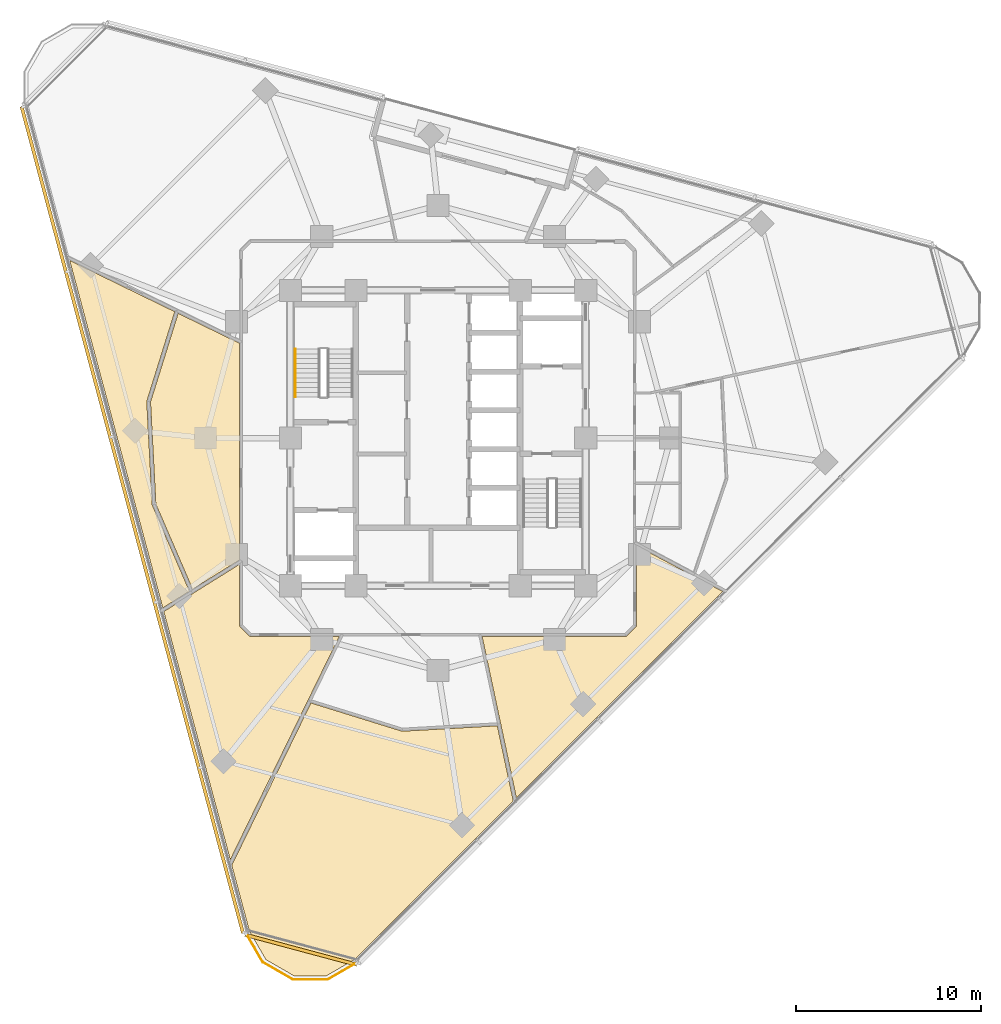
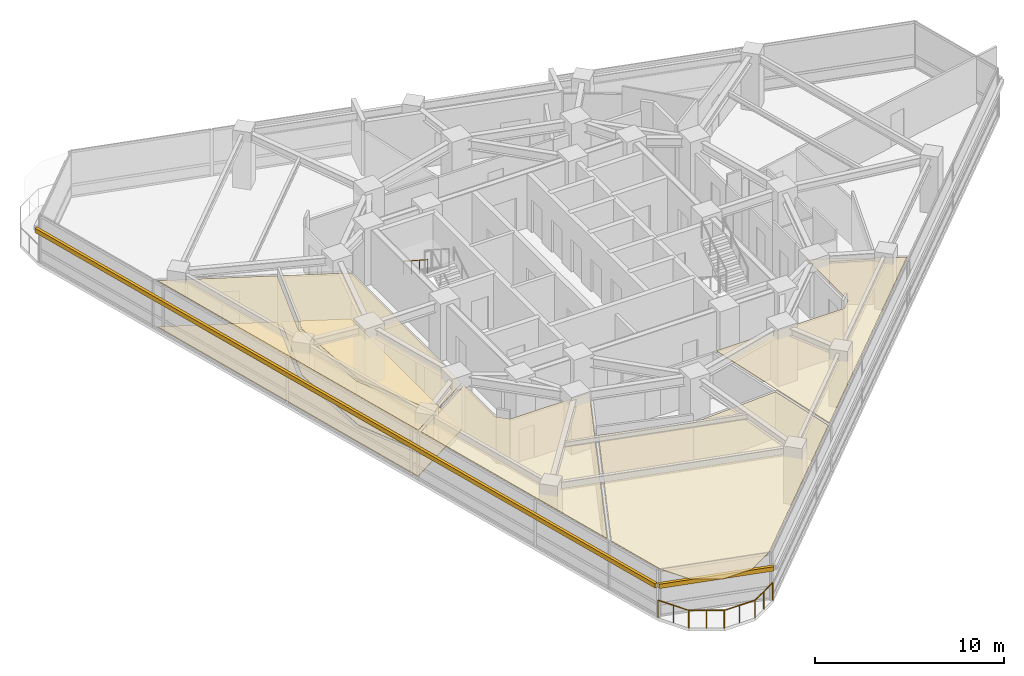
# One storey, part 11 of 14: 7 coverings, 2 railings, 2 shading devices.
"""IFC4 building model written with IfcOpenShell, lengths in metres."""

from ifc_helpers import new_model, si_unit, direction, frame, origin, origin_2d, place, context, subcontext, project, spatial, polyline, rectangle, circle, outline, extrude, material, layer, layer_set, type_object, element, save


model = new_model("IFC4")

# Units and contexts
model_context = context("Model", 3, precision=1e-05, world=origin(), true_north=direction((0.0, 1.0)))
body_context = subcontext(model_context, "Body", "Model", "MODEL_VIEW")
ifc_project = project(units=[si_unit("LENGTHUNIT", "METRE"), si_unit("AREAUNIT", "SQUARE_METRE"), si_unit("VOLUMEUNIT", "CUBIC_METRE"), si_unit("PLANEANGLEUNIT", "RADIAN"), si_unit("MASSUNIT", "GRAM", prefix="KILO")], contexts=[model_context])

# Site, building, storey
site_placement = place(None, origin())
site = spatial("IfcSite", under=ifc_project, at=site_placement, CompositionType="ELEMENT")
building_placement = place(site_placement, origin())
building = spatial("IfcBuilding", under=site, at=building_placement, Name="Terralouvre Media Tower", CompositionType="ELEMENT")
storey_placement = place(building_placement, frame((0.0, 0.0, 191.60009765625)))
storey = spatial("IfcBuildingStorey", under=building, at=storey_placement, Name="L49", CompositionType="ELEMENT", Elevation=191.60009765625)

# Coverings
ifc_material_1 = material(Name="Resilient elastomer acoustic broadcast studio flooring")
ifc_layer_1 = layer(ifc_material_1, 0.050048828125, Name="Broadcast Studio Acoustic Floating Floor FL-AC1")
ifc_layer_set_1 = layer_set([ifc_layer_1], Name="Resilient elastomer acoustic broadcast studio flooring")
covering_type_1 = type_object("IfcCoveringType", Name="Broadcast Studio Acoustic Floating Floor FL-AC1", PredefinedType="FLOORING", material=ifc_layer_set_1)
covering_1_placement = place(storey_placement, frame((0.0, 0.0, 0.0), z_axis=(0.0, 0.0, 1.0), x_axis=(0.707106781187, 0.707106781187, 0.0)))
element("IfcCovering", 1, at=covering_1_placement, inside=storey, type_object=covering_type_1, Name="L49 Foley Sound Creative Workshop 1 Acoustic Floating Floor", PredefinedType="FLOORING", context=body_context, shape_type="SweptSolid", body=[
    extrude(outline(polyline([(-9.62939453125, 12.398681640625), (-13.33740234375, 8.2802734375), (-15.192138671875, 3.6103515625), (-12.26806640625, 2.934814453125), (-3.972900390625, 11.22998046875), (-5.17822265625, 14.7314453125), (-9.62939453125, 12.398681640625)])), origin(), (0.0, 0.0, 1.0), 0.0498046875),
])
covering_2_placement = place(storey_placement, frame((0.0, 0.0, 0.0), z_axis=(0.0, 0.0, 1.0), x_axis=(0.707106781187, 0.707106781187, 0.0)))
element("IfcCovering", 2, at=covering_2_placement, inside=storey, type_object=covering_type_1, Name="L49 Audio Mastering Control Room 13 Acoustic Floating Floor", PredefinedType="FLOORING", context=body_context, shape_type="SweptSolid", body=[
    extrude(outline(polyline([(-13.5166015625, 8.370849609375), (-13.512939453125, 8.37890625), (-13.5087890625, 8.38671875), (-13.503662109375, 8.39404296875), (-13.498046875, 8.40087890625), (-9.765869140625, 12.5458984375), (-9.759765625, 12.55224609375), (-9.7529296875, 12.55810546875), (-9.74560546875, 12.56298828125), (-9.738037109375, 12.567626953125), (-5.244140625, 14.922607421875), (-7.306396484375, 20.910888671875), (-17.047607421875, 4.038818359375), (-15.38916015625, 3.65576171875), (-13.5166015625, 8.370849609375)])), origin(), (0.0, 0.0, 1.0), 0.0498046875),
])
ifc_material_2 = material(Name="Perforated aluminium acoustic ceiling baffle", Category="aluminium")
ifc_layer_2 = layer(ifc_material_2, 0.0400390625, Name="Perforated Acoustic Metal Tile Ceiling CL-AC1")
ifc_layer_set_2 = layer_set([ifc_layer_2], Name="Perforated aluminium acoustic ceiling baffle")
covering_type_2 = type_object("IfcCoveringType", Name="Perforated Acoustic Metal Tile Ceiling CL-AC1", PredefinedType="CEILING", material=ifc_layer_set_2)
covering_3_placement = place(storey_placement, frame((0.0, 0.0, 2.97998046875), z_axis=(0.0, 0.0, 1.0), x_axis=(0.707106781187, 0.707106781187, 0.0)))
element("IfcCovering", 3, at=covering_3_placement, inside=storey, type_object=covering_type_2, Name="L49 Foley Sound Creative Workshop 1 Acoustic Ceiling", PredefinedType="CEILING", context=body_context, shape_type="SweptSolid", body=[
    extrude(outline(polyline([(-9.62939453125, 12.398681640625), (-13.33740234375, 8.2802734375), (-15.192138671875, 3.6103515625), (-12.26806640625, 2.934814453125), (-3.972900390625, 11.22998046875), (-5.17822265625, 14.7314453125), (-9.62939453125, 12.398681640625)])), origin(), (0.0, 0.0, 1.0), 0.0400390625),
])
covering_4_placement = place(storey_placement, frame((0.0, 0.0, 2.97998046875), z_axis=(0.0, 0.0, 1.0), x_axis=(0.707106781187, 0.707106781187, 0.0)))
element("IfcCovering", 4, at=covering_4_placement, inside=storey, type_object=covering_type_2, Name="L49 Vinyl and Score Music Library 2 Acoustic Ceiling", PredefinedType="CEILING", context=body_context, shape_type="SweptSolid", body=[
    extrude(outline(polyline([(-11.38720703125, -3.8154296875), (-14.778564453125, -0.42431640625), (-14.78515625, -0.4169921875), (-14.791015625, -0.4091796875), (-14.7958984375, -0.400634765625), (-14.80029296875, -0.391845703125), (-14.803466796875, -0.382568359375), (-14.805908203125, -0.373046875), (-14.807373046875, -0.36328125), (-14.807861328125, -0.353515625), (-14.807861328125, 0.353515625), (-14.807373046875, 0.36328125), (-14.805908203125, 0.373046875), (-14.803466796875, 0.382568359375), (-14.80029296875, 0.391845703125), (-14.7958984375, 0.400634765625), (-14.791015625, 0.4091796875), (-14.78515625, 0.4169921875), (-14.778564453125, 0.42431640625), (-12.434814453125, 2.76806640625), (-15.350341796875, 3.441650390625), (-17.152099609375, 3.857666015625), (-24.11181640625, -8.19677734375), (-15.000732421875, -5.058837890625), (-11.38720703125, -3.8154296875)])), origin(), (0.0, 0.0, 1.0), 0.0400390625),
])
covering_5_placement = place(storey_placement, frame((0.0, 0.0, 2.97998046875), z_axis=(0.0, 0.0, 1.0), x_axis=(0.707106781187, 0.707106781187, 0.0)))
element("IfcCovering", 5, at=covering_5_placement, inside=storey, type_object=covering_type_2, Name="L49 Podcast Host Green Lounge 3 Acoustic Ceiling", PredefinedType="CEILING", context=body_context, shape_type="SweptSolid", body=[
    extrude(outline(polyline([(-12.595703125, -9.863037109375), (-12.602294921875, -9.856689453125), (-12.608154296875, -9.85009765625), (-12.61328125, -9.8427734375), (-12.61767578125, -9.8349609375), (-15.0166015625, -5.27587890625), (-24.264404296875, -8.4609375), (-26.110107421875, -11.658447265625), (-26.572021484375, -13.38330078125), (-26.117919921875, -15.07958984375), (-24.87646484375, -16.32080078125), (-23.15087890625, -16.78369140625), (-11.018798828125, -16.782958984375), (-8.753173828125, -13.294189453125), (-12.595703125, -9.863037109375)])), origin(), (0.0, 0.0, 1.0), 0.0400390625),
])
covering_6_placement = place(storey_placement, frame((0.0, 0.0, 2.97998046875), z_axis=(0.0, 0.0, 1.0), x_axis=(0.707106781187, 0.707106781187, 0.0)))
element("IfcCovering", 6, at=covering_6_placement, inside=storey, type_object=covering_type_2, Name="L49 Sound Engineers Crew Room 5 Acoustic Ceiling", PredefinedType="CEILING", context=body_context, shape_type="SweptSolid", body=[
    extrude(outline(polyline([(3.4794921875, -11.723388671875), (0.42431640625, -14.778564453125), (0.4169921875, -14.78515625), (0.4091796875, -14.791015625), (0.400634765625, -14.7958984375), (0.391845703125, -14.80029296875), (0.382568359375, -14.803466796875), (0.373046875, -14.805908203125), (0.36328125, -14.807373046875), (0.353515625, -14.807861328125), (-0.353515625, -14.807861328125), (-0.36328125, -14.807373046875), (-0.373046875, -14.805908203125), (-0.382568359375, -14.803466796875), (-0.391845703125, -14.80029296875), (-0.400634765625, -14.7958984375), (-0.4091796875, -14.791015625), (-0.4169921875, -14.78515625), (-0.42431640625, -14.778564453125), (-5.9130859375, -9.28955078125), (-8.53857421875, -13.3310546875), (-10.7802734375, -16.782958984375), (5.02685546875, -16.78271484375), (4.502685546875, -15.06884765625), (3.4794921875, -11.723388671875)])), origin(), (0.0, 0.0, 1.0), 0.0400390625),
])
covering_7_placement = place(storey_placement, frame((0.0, 0.0, 2.97998046875), z_axis=(0.0, 0.0, 1.0), x_axis=(0.707106781187, 0.707106781187, 0.0)))
element("IfcCovering", 7, at=covering_7_placement, inside=storey, type_object=covering_type_2, Name="L49 Audio Mastering Control Room 13 Acoustic Ceiling", PredefinedType="CEILING", context=body_context, shape_type="SweptSolid", body=[
    extrude(outline(polyline([(-13.5166015625, 8.370849609375), (-13.512939453125, 8.37890625), (-13.5087890625, 8.38671875), (-13.503662109375, 8.39404296875), (-13.498046875, 8.40087890625), (-9.765869140625, 12.5458984375), (-9.759765625, 12.55224609375), (-9.7529296875, 12.55810546875), (-9.74560546875, 12.56298828125), (-9.738037109375, 12.567626953125), (-5.244140625, 14.922607421875), (-7.306396484375, 20.910888671875), (-17.047607421875, 4.038818359375), (-15.38916015625, 3.65576171875), (-13.5166015625, 8.370849609375)])), origin(), (0.0, 0.0, 1.0), 0.0400390625),
])

# Railings
ifc_material_3 = material(Name="Stainless steel 316 handrail and balustrade", Category="steel")
ifc_layer_3 = layer(ifc_material_3, 0.06005859375, Name="Roof Edge Safety Guardrail GR-ROOF1")
ifc_layer_set_3 = layer_set([ifc_layer_3], Name="Stainless steel 316 handrail and balustrade")
railing_type_1 = type_object("IfcRailingType", Name="Roof Edge Safety Guardrail GR-ROOF1", PredefinedType="GUARDRAIL", material=ifc_layer_set_3)
railing_1_placement = place(storey_placement, frame((-10.418701171875, -26.77685546875, 0.0)))
element("IfcRailing", 8, at=railing_1_placement, inside=storey, type_object=railing_type_1, Name="L49 Wind-Corner Perimeter Safety Guardrail C0", PredefinedType="GUARDRAIL", context=body_context, shape_type="SweptSolid", body=[
    extrude(circle(Radius=0.02099609375, at=origin_2d()), frame((0.0, 0.0, 1.12890625), z_axis=(0.499797667116, -0.866142189219, 0.0), x_axis=(0.866142189219, 0.499797667116, 0.0)), (0.0, 0.0, 1.0), 1.873291015625),
    extrude(circle(Radius=0.02099609375, at=origin_2d()), frame((0.936279296875, -1.62255859375, 1.12890625), z_axis=(0.86593156901, -0.500162491388, 0.0), x_axis=(0.500162491388, 0.86593156901, 0.0)), (0.0, 0.0, 1.0), 1.873046875),
    extrude(circle(Radius=0.02099609375, at=origin_2d()), frame((2.55810546875, -2.559326171875, 1.12890625), z_axis=(0.999999991505, 0.000130344107, 0.0), x_axis=(-0.000130344107, 0.999999991505, 0.0)), (0.0, 0.0, 1.0), 1.873046875),
    extrude(circle(Radius=0.02099609375, at=origin_2d()), frame((4.43115234375, -2.55908203125, 1.12890625), z_axis=(0.86590772507, 0.500203770141, 0.0), x_axis=(-0.500203770141, 0.86590772507, 0.0)), (0.0, 0.0, 1.0), 1.873291015625),
    extrude(circle(Radius=0.01904296875, at=origin_2d()), origin(), (0.0, 0.0, 1.0), 1.10791015625),
    extrude(circle(Radius=0.01904296875, at=origin_2d()), frame((0.46826171875, -0.811279296875, 0.0)), (0.0, 0.0, 1.0), 1.10791015625),
    extrude(circle(Radius=0.01904296875, at=origin_2d()), frame((0.936279296875, -1.62255859375, 0.0)), (0.0, 0.0, 1.0), 1.10791015625),
    extrude(circle(Radius=0.01904296875, at=origin_2d()), frame((1.7470703125, -2.0908203125, 0.0)), (0.0, 0.0, 1.0), 1.10791015625),
    extrude(circle(Radius=0.01904296875, at=origin_2d()), frame((2.55810546875, -2.559326171875, 0.0)), (0.0, 0.0, 1.0), 1.10791015625),
    extrude(circle(Radius=0.01904296875, at=origin_2d()), frame((3.49462890625, -2.55908203125, 0.0)), (0.0, 0.0, 1.0), 1.10791015625),
    extrude(circle(Radius=0.01904296875, at=origin_2d()), frame((4.43115234375, -2.55908203125, 0.0)), (0.0, 0.0, 1.0), 1.10791015625),
    extrude(circle(Radius=0.01904296875, at=origin_2d()), frame((5.2421875, -2.090576171875, 0.0)), (0.0, 0.0, 1.0), 1.10791015625),
    extrude(circle(Radius=0.01904296875, at=origin_2d()), frame((6.05322265625, -1.6220703125, 0.0)), (0.0, 0.0, 1.0), 1.10791015625),
])
ifc_material_4 = material(Name="Stainless steel 316 handrail and balustrade", Category="steel")
ifc_layer_4 = layer(ifc_material_4, 0.050048828125, Name="Stair Flight Wall Handrail HR-INT1")
ifc_layer_set_4 = layer_set([ifc_layer_4], Name="Stainless steel 316 handrail and balustrade")
railing_type_2 = type_object("IfcRailingType", Name="Stair Flight Wall Handrail HR-INT1", PredefinedType="HANDRAIL", material=ifc_layer_set_4)
railing_2_placement = place(storey_placement, frame((-7.72998046875, 4.820068359375, 2.01806640625)))
element("IfcRailing", 9, at=railing_2_placement, inside=storey, type_object=railing_type_2, Name="L49 ST-01 stair handrail 2", PredefinedType="HANDRAIL", context=body_context, shape_type="SweptSolid", body=[
    extrude(circle(Radius=0.02392578125, at=origin_2d()), frame((0.0, 0.0, 0.8759765625), z_axis=(0.0, -0.839648411786, 0.543130320075), x_axis=(1.0, 0.0, 0.0)), (0.0, 0.0, 1.0), 3.0966796875),
    extrude(circle(Radius=0.02099609375, at=origin_2d()), origin(), (0.0, 0.0, 1.0), 0.851806640625),
    extrude(circle(Radius=0.02099609375, at=origin_2d()), frame((0.0, -0.86669921875, 0.560546875)), (0.0, 0.0, 1.0), 0.851806640625),
    extrude(circle(Radius=0.02099609375, at=origin_2d()), frame((0.0, -1.7333984375, 1.121337890625)), (0.0, 0.0, 1.0), 0.851806640625),
    extrude(circle(Radius=0.02099609375, at=origin_2d()), frame((0.0, -2.60009765625, 1.681884765625)), (0.0, 0.0, 1.0), 0.851806640625),
])

# Shading devices
ifc_material_5 = material(Name="Extruded terracotta baguette sunshade louvres", Category="masonry")
shading_device_type = type_object("IfcShadingDeviceType", Name="Terracotta Baguette Sunshade Louvre Screen TB-LV1", PredefinedType="USERDEFINED", material=ifc_material_5)
shading_device_1_placement = place(storey_placement, frame((-16.558837890625, -4.43701171875, 2.02392578125), z_axis=(0.0, 0.0, 1.0), x_axis=(0.25881903342, -0.96592582942, 0.0)))
element("IfcShadingDevice", 10, at=shading_device_1_placement, inside=storey, type_object=shading_device_type, Name="CW-L49-F2 Terracotta Baguette Sunshade Louvre", ObjectType="BAGUETTE", PredefinedType="USERDEFINED", context=body_context, shape_type="SweptSolid", body=[
    extrude(rectangle(XDim=46.360107421875, YDim=0.179931640625, at=origin_2d()), origin(), (0.0, 0.0, 1.0), 0.280029296875),
])
shading_device_2_placement = place(storey_placement, frame((-7.427001953125, -27.71826171875, 2.02392578125), z_axis=(0.0, 0.0, 1.0), x_axis=(0.965925911218, -0.258818728144, 0.0)))
element("IfcShadingDevice", 11, at=shading_device_2_placement, inside=storey, type_object=shading_device_type, Name="CW-L49-C0 Terracotta Baguette Sunshade Louvre", ObjectType="BAGUETTE", PredefinedType="USERDEFINED", context=body_context, shape_type="SweptSolid", body=[
    extrude(rectangle(XDim=6.27001953125, YDim=0.179931640625, at=origin_2d()), origin(), (0.0, 0.0, 1.0), 0.280029296875),
])

save(model, "model.ifc")
